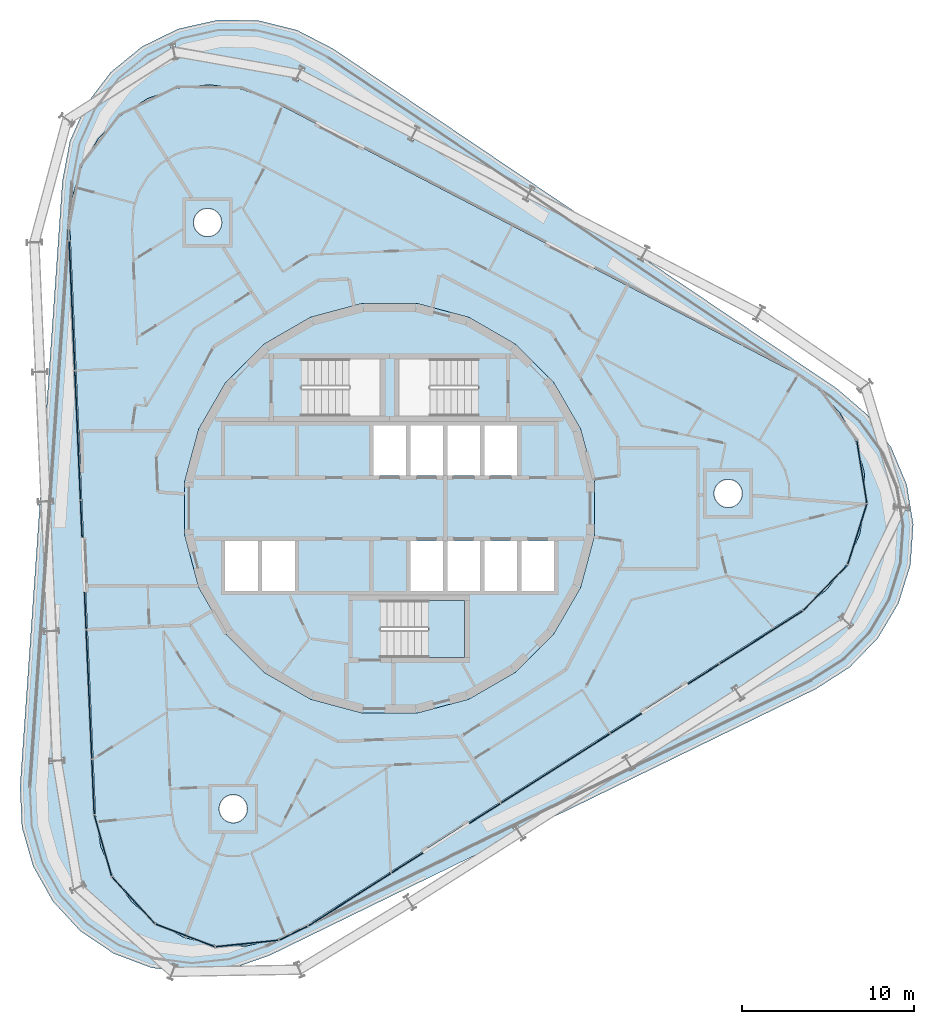
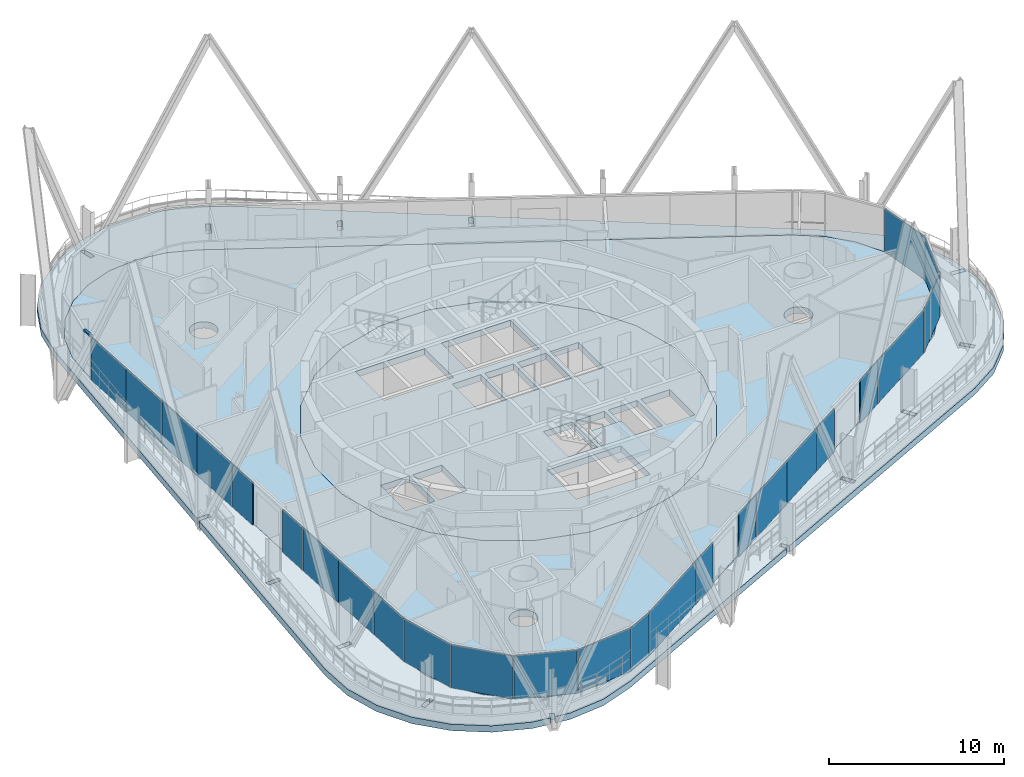
# One storey, part 10 of 20: 25 plates, 4 slabs, 1 member, 6 elements without a shape of their own.
"""IFC4 building model written with IfcOpenShell, lengths in metres."""

from ifc_helpers import new_model, si_unit, direction, frame, origin, origin_2d, place, context, subcontext, project, spatial, polyline, rectangle, outline, extrude, material, layer, layer_set, material_profile, profile_set, type_object, element, aggregate, save


model = new_model("IFC4")

# Units and contexts
model_context = context("Model", 3, precision=1e-05, world=origin(), true_north=direction((0.0, 1.0)))
body_context = subcontext(model_context, "Body", "Model", "MODEL_VIEW")
ifc_project = project(units=[si_unit("LENGTHUNIT", "METRE"), si_unit("AREAUNIT", "SQUARE_METRE"), si_unit("VOLUMEUNIT", "CUBIC_METRE"), si_unit("PLANEANGLEUNIT", "RADIAN"), si_unit("MASSUNIT", "GRAM", prefix="KILO")], contexts=[model_context])

# Site, building, storey
site_placement = place(None, origin())
site = spatial("IfcSite", under=ifc_project, at=site_placement, CompositionType="ELEMENT")
building_placement = place(site_placement, origin())
building = spatial("IfcBuilding", under=site, at=building_placement, Name="Spindle Arch Residences", CompositionType="ELEMENT")
storey_placement = place(building_placement, frame((0.0, 0.0, 226.699951171875)))
storey = spatial("IfcBuildingStorey", under=building, at=storey_placement, Name="L57", CompositionType="ELEMENT", Elevation=226.699951171875)

# Curtain wall, member
ifc_material_1 = material(Name="Aluminium bronze unitised frame with tinted glass", Category="aluminium")
ifc_layer_1 = layer(ifc_material_1, 0.159912109375)
ifc_layer_set_1 = layer_set([ifc_layer_1], Name="CW-D corner wall on the fillet arcs")
curtain_wall_type_1 = type_object("IfcCurtainWallType", Name="CW-D corner wall on the fillet arcs", PredefinedType="NOTDEFINED", material=ifc_layer_set_1)
curtain_wall_1_placement = place(storey_placement, origin())
curtain_wall_1 = element("IfcCurtainWall", 1, at=curtain_wall_1_placement, inside=storey, type_object=curtain_wall_type_1, Name="CW-D L57 run 3", PredefinedType="NOTDEFINED")
ifc_material_2 = material(Name="Aluminium bronze anodised transom", Category="aluminium")
ifc_material_profile = material_profile(ifc_material_2, rectangle(XDim=0.159912109375, YDim=0.1201171875, at=origin_2d()), Name="TR 120x160")
ifc_profile_set = profile_set([ifc_material_profile], Name="Aluminium bronze anodised transom")
member_type = type_object("IfcMemberType", Name="Bronze transom 120x160", PredefinedType="USERDEFINED", material=ifc_profile_set)
member_placement = place(storey_placement, frame((-18.638916015625, 16.2060546875, 3.06005859375), z_axis=(0.043372874815, -0.999058954081, 0.0), x_axis=(0.999058954081, 0.043372874815, 0.0)))
member = element("IfcMember", 2, at=member_placement, type_object=member_type, Name="CW-D transom 05", ObjectType="TRANSOM", PredefinedType="USERDEFINED", context=body_context, shape_type="SweptSolid", body=[
    extrude(rectangle(XDim=0.159912109375, YDim=0.1201171875, at=origin_2d()), origin(), (0.0, 0.0, 1.0), 0.65869140625),
])
aggregate(curtain_wall_1, [member])

# Slabs
ifc_material_3 = material(Name="Concrete C40/50", Category="concrete")
ifc_layer_2 = layer(ifc_material_3, 0.449951171875)
ifc_layer_set_2 = layer_set([ifc_layer_2], Name="Compartment floor slab 450")
slab_type_1 = type_object("IfcSlabType", Name="Compartment floor slab 450", PredefinedType="FLOOR", material=ifc_layer_set_2)
slab_1_placement = place(storey_placement, frame((0.0, 0.0, -0.449951171875)))
element("IfcSlab", 3, at=slab_1_placement, inside=storey, type_object=slab_type_1, Name="Floor slab L57", PredefinedType="FLOOR", context=body_context, shape_type="SweptSolid", body=[
    extrude(outline(polyline([(-6.45556640625, -25.0029296875), (-8.268798828125, -25.40478515625), (-10.126220703125, -25.3779296875), (-11.92724609375, -24.92333984375), (-13.57470703125, -24.065673828125), (-14.980224609375, -22.85107421875), (-16.067626953125, -21.34521484375), (-16.778564453125, -19.629150390625), (-17.074462890625, -17.79541015625), (-18.560302734375, 16.239501953125), (-18.42529296875, 18.092041015625), (-17.866943359375, 19.863525390625), (-16.914794921875, 21.45849609375), (-15.62060546875, 22.791015625), (-14.053955078125, 23.788818359375), (-12.299560546875, 24.398681640625), (-10.45166015625, 24.587646484375), (-8.610107421875, 24.34521484375), (-6.8740234375, 23.6845703125), (23.343994140625, 7.9541015625), (24.880859375, 6.910888671875), (26.1357421875, 5.54150390625), (27.041015625, 3.91943359375), (27.5478515625, 2.13232421875), (27.62890625, 0.276611328125), (27.27978515625, -1.547607421875), (26.519287109375, -3.242431640625), (25.388427734375, -4.716064453125), (23.948486328125, -5.88916015625), (9.58251953125, -15.041259765625), (-4.78369140625, -24.193603515625), (-6.45556640625, -25.0029296875)]), holes=[polyline([(7.30517578125, -9.520263671875), (9.520263671875, -7.30517578125), (11.086669921875, -4.59228515625), (11.897216796875, -1.56640625), (11.897216796875, 1.56640625), (11.086669921875, 4.59228515625), (9.520263671875, 7.30517578125), (7.30517578125, 9.520263671875), (4.59228515625, 11.086669921875), (1.56640625, 11.897216796875), (-1.56640625, 11.897216796875), (-4.59228515625, 11.086669921875), (-7.30517578125, 9.520263671875), (-9.520263671875, 7.30517578125), (-11.086669921875, 4.59228515625), (-11.897216796875, 1.56640625), (-11.897216796875, -1.56640625), (-11.086669921875, -4.59228515625), (-9.520263671875, -7.30517578125), (-7.30517578125, -9.520263671875), (-4.59228515625, -11.086669921875), (-1.56640625, -11.897216796875), (1.56640625, -11.897216796875), (4.59228515625, -11.086669921875), (7.30517578125, -9.520263671875)]), polyline([(-8.39599609375, -17.904541015625), (-8.31982421875, -17.761962890625), (-8.27294921875, -17.607177734375), (-8.257080078125, -17.4462890625), (-8.27294921875, -17.285400390625), (-8.31982421875, -17.130615234375), (-8.39599609375, -16.988037109375), (-8.49853515625, -16.86279296875), (-8.623779296875, -16.76025390625), (-8.766357421875, -16.68408203125), (-8.921142578125, -16.63720703125), (-9.08203125, -16.621337890625), (-9.242919921875, -16.63720703125), (-9.397705078125, -16.68408203125), (-9.540283203125, -16.76025390625), (-9.665283203125, -16.86279296875), (-9.76806640625, -16.988037109375), (-9.84423828125, -17.130615234375), (-9.89111328125, -17.285400390625), (-9.906982421875, -17.4462890625), (-9.89111328125, -17.607177734375), (-9.84423828125, -17.761962890625), (-9.76806640625, -17.904541015625), (-9.665283203125, -18.02978515625), (-9.540283203125, -18.13232421875), (-9.397705078125, -18.20849609375), (-9.242919921875, -18.25537109375), (-9.08203125, -18.271240234375), (-8.921142578125, -18.25537109375), (-8.766357421875, -18.20849609375), (-8.623779296875, -18.13232421875), (-8.49853515625, -18.02978515625), (-8.39599609375, -17.904541015625)]), polyline([(-9.882080078125, 16.130126953125), (-9.805908203125, 16.272705078125), (-9.7587890625, 16.427490234375), (-9.742919921875, 16.58837890625), (-9.7587890625, 16.749267578125), (-9.805908203125, 16.904052734375), (-9.882080078125, 17.046630859375), (-9.984619140625, 17.171875), (-10.109619140625, 17.2744140625), (-10.252197265625, 17.3505859375), (-10.406982421875, 17.3974609375), (-10.568115234375, 17.413330078125), (-10.72900390625, 17.3974609375), (-10.8837890625, 17.3505859375), (-11.0263671875, 17.2744140625), (-11.1513671875, 17.171875), (-11.25390625, 17.046630859375), (-11.330078125, 16.904052734375), (-11.377197265625, 16.749267578125), (-11.39306640625, 16.58837890625), (-11.377197265625, 16.427490234375), (-11.330078125, 16.272705078125), (-11.25390625, 16.130126953125), (-11.1513671875, 16.0048828125), (-11.0263671875, 15.90234375), (-10.8837890625, 15.826171875), (-10.72900390625, 15.779296875), (-10.568115234375, 15.763427734375), (-10.406982421875, 15.779296875), (-10.252197265625, 15.826171875), (-10.109619140625, 15.90234375), (-9.984619140625, 16.0048828125), (-9.882080078125, 16.130126953125)]), polyline([(20.2333984375, 0.2744140625), (20.3359375, 0.399658203125), (20.412109375, 0.542236328125), (20.458984375, 0.697021484375), (20.47509765625, 0.85791015625), (20.458984375, 1.018798828125), (20.412109375, 1.173583984375), (20.3359375, 1.316162109375), (20.2333984375, 1.44140625), (20.1083984375, 1.5439453125), (19.9658203125, 1.6201171875), (19.810791015625, 1.6669921875), (19.64990234375, 1.682861328125), (19.489013671875, 1.6669921875), (19.334228515625, 1.6201171875), (19.191650390625, 1.5439453125), (19.066650390625, 1.44140625), (18.964111328125, 1.316162109375), (18.8876953125, 1.173583984375), (18.8408203125, 1.018798828125), (18.824951171875, 0.85791015625), (18.8408203125, 0.697021484375), (18.8876953125, 0.542236328125), (18.964111328125, 0.399658203125), (19.066650390625, 0.2744140625), (19.191650390625, 0.171875), (19.334228515625, 0.095703125), (19.489013671875, 0.048828125), (19.64990234375, 0.032958984375), (19.810791015625, 0.048828125), (19.9658203125, 0.095703125), (20.1083984375, 0.171875), (20.2333984375, 0.2744140625)])]), origin(), (0.0, 0.0, 1.0), 0.449951171875),
])
ifc_material_4 = material(Name="Concrete C50/60", Category="concrete")
ifc_layer_3 = layer(ifc_material_4, 0.449951171875)
ifc_layer_set_3 = layer_set([ifc_layer_3], Name="Core floor slab 450")
slab_type_2 = type_object("IfcSlabType", Name="Core floor slab 450", PredefinedType="FLOOR", material=ifc_layer_set_3)
slab_2_placement = place(storey_placement, frame((0.0, 0.0, -0.449951171875)))
element("IfcSlab", 4, at=slab_2_placement, inside=storey, type_object=slab_type_2, Name="Core floor L57", PredefinedType="FLOOR", context=body_context, shape_type="SweptSolid", body=[
    extrude(outline(polyline([(1.56640625, -11.897216796875), (4.59228515625, -11.086669921875), (7.30517578125, -9.520263671875), (9.520263671875, -7.30517578125), (11.086669921875, -4.59228515625), (11.897216796875, -1.56640625), (11.897216796875, 1.56640625), (11.086669921875, 4.59228515625), (9.520263671875, 7.30517578125), (7.30517578125, 9.520263671875), (4.59228515625, 11.086669921875), (1.56640625, 11.897216796875), (-1.56640625, 11.897216796875), (-4.59228515625, 11.086669921875), (-7.30517578125, 9.520263671875), (-9.520263671875, 7.30517578125), (-11.086669921875, 4.59228515625), (-11.897216796875, 1.56640625), (-11.897216796875, -1.56640625), (-11.086669921875, -4.59228515625), (-9.520263671875, -7.30517578125), (-7.30517578125, -9.520263671875), (-4.59228515625, -11.086669921875), (-1.56640625, -11.897216796875), (1.56640625, -11.897216796875)]), holes=[polyline([(-0.949951171875, 1.89990234375), (0.949951171875, 1.89990234375), (0.949951171875, 4.800048828125), (-0.949951171875, 4.800048828125), (-0.949951171875, 1.89990234375)]), polyline([(1.199951171875, 1.89990234375), (3.10009765625, 1.89990234375), (3.10009765625, 4.800048828125), (1.199951171875, 4.800048828125), (1.199951171875, 1.89990234375)]), polyline([(3.35009765625, 1.89990234375), (5.25, 1.89990234375), (5.25, 4.800048828125), (3.35009765625, 4.800048828125), (3.35009765625, 1.89990234375)]), polyline([(5.5, 1.89990234375), (7.39990234375, 1.89990234375), (7.39990234375, 4.800048828125), (5.5, 4.800048828125), (5.5, 1.89990234375)]), polyline([(-9.550048828125, -4.800048828125), (-7.64990234375, -4.800048828125), (-7.64990234375, -1.89990234375), (-9.550048828125, -1.89990234375), (-9.550048828125, -4.800048828125)]), polyline([(-7.39990234375, -4.800048828125), (-5.5, -4.800048828125), (-5.5, -1.89990234375), (-7.39990234375, -1.89990234375), (-7.39990234375, -4.800048828125)]), polyline([(1.199951171875, -4.800048828125), (3.10009765625, -4.800048828125), (3.10009765625, -1.89990234375), (1.199951171875, -1.89990234375), (1.199951171875, -4.800048828125)]), polyline([(3.35009765625, -4.800048828125), (5.25, -4.800048828125), (5.25, -1.89990234375), (3.35009765625, -1.89990234375), (3.35009765625, -4.800048828125)]), polyline([(5.5, -4.800048828125), (7.39990234375, -4.800048828125), (7.39990234375, -1.89990234375), (5.5, -1.89990234375), (5.5, -4.800048828125)]), polyline([(7.64990234375, -4.800048828125), (9.550048828125, -4.800048828125), (9.550048828125, -1.89990234375), (7.64990234375, -1.89990234375), (7.64990234375, -4.800048828125)]), polyline([(5.1298828125, 8.669921875), (0.550048828125, 8.669921875), (0.550048828125, 5.35009765625), (5.1298828125, 5.35009765625), (5.1298828125, 8.669921875)]), polyline([(-5.1298828125, 5.35009765625), (-0.550048828125, 5.35009765625), (-0.550048828125, 8.669921875), (-5.1298828125, 8.669921875), (-5.1298828125, 5.35009765625)]), polyline([(-0.530029296875, -8.669921875), (4.35009765625, -8.669921875), (4.35009765625, -5.35009765625), (-0.530029296875, -5.35009765625), (-0.530029296875, -8.669921875)])]), origin(), (0.0, 0.0, 1.0), 0.449951171875),
])

# Stair, slab
ifc_material_5 = material(Name="Concrete C50/60", Category="concrete")
stair_type = type_object("IfcStairType", Name="Exit stair 16 risers", PredefinedType="HALF_TURN_STAIR", material=ifc_material_5)
stair_placement = place(storey_placement, origin())
stair = element("IfcStair", 5, at=stair_placement, inside=storey, type_object=stair_type, Name="L57 Exit stair ST3", PredefinedType="HALF_TURN_STAIR")
ifc_material_6 = material(Name="Concrete C50/60", Category="concrete")
ifc_layer_4 = layer(ifc_material_6, 0.219970703125)
ifc_layer_set_4 = layer_set([ifc_layer_4], Name="Exit stair landing 220")
slab_type_3 = type_object("IfcSlabType", Name="Exit stair landing 220", PredefinedType="LANDING", material=ifc_layer_set_4)
slab_3_placement = place(storey_placement, frame((0.0, 0.0, 1.530029296875)))
slab_3 = element("IfcSlab", 6, at=slab_3_placement, type_object=slab_type_3, Name="ST3 landing 1", PredefinedType="LANDING", context=body_context, shape_type="SweptSolid", body=[
    extrude(outline(polyline([(2.22998046875, -8.669921875), (4.35009765625, -8.669921875), (4.35009765625, -5.35009765625), (2.22998046875, -5.35009765625), (2.22998046875, -8.669921875)])), origin(), (0.0, 0.0, 1.0), 0.219970703125),
])
aggregate(stair, [slab_3])

# Slab
ifc_material_7 = material(Name="Concrete C40/50", Category="concrete")
ifc_layer_5 = layer(ifc_material_7, 0.449951171875)
ifc_layer_set_5 = layer_set([ifc_layer_5], Name="Terrace slab 450")
slab_type_4 = type_object("IfcSlabType", Name="Terrace slab 450", PredefinedType="FLOOR", material=ifc_layer_set_5)
slab_4_placement = place(storey_placement, frame((0.0, 0.0, -0.449951171875)))
element("IfcSlab", 7, at=slab_4_placement, inside=storey, type_object=slab_type_4, Name="Terrace slab L56", PredefinedType="FLOOR", context=body_context, shape_type="SweptSolid", body=[
    extrude(outline(polyline([(-9.17138671875, -26.734619140625), (-11.50341796875, -26.979736328125), (-12.419921875, -26.86181640625), (-12.302001953125, -26.54443359375), (-12.583251953125, -26.43994140625), (-12.725341796875, -26.822509765625), (-13.829345703125, -26.680419921875), (-16.023681640625, -25.852783203125), (-17.9677734375, -24.54150390625), (-19.55712890625, -22.817138671875), (-20.705810546875, -20.772705078125), (-21.352294921875, -18.5185546875), (-21.46142578125, -16.17578125), (-20.31494140625, 0.218994140625), (-19.513916015625, 0.254150390625), (-19.527099609375, 0.5537109375), (-20.2939453125, 0.520263671875), (-19.001220703125, 19.00537109375), (-18.567138671875, 21.309814453125), (-17.61328125, 23.4521484375), (-16.191162109375, 25.31689453125), (-14.37744140625, 26.80322265625), (-12.26953125, 27.831298828125), (-9.981689453125, 28.345458984375), (-7.63671875, 28.318115234375), (-5.361328125, 27.7509765625), (-3.278076171875, 26.674072265625), (14.535888671875, 14.658447265625), (14.429931640625, 14.45458984375), (14.696044921875, 14.316162109375), (14.786376953125, 14.489501953125), (25.959716796875, 6.952880859375), (27.738525390625, 5.4248046875), (29.116943359375, 3.527587890625), (30.020751953125, 1.363525390625), (30.40087890625, -0.950439453125), (30.2373046875, -3.289794921875), (29.538818359375, -5.5283203125), (28.342529296875, -7.54541015625), (26.713623046875, -9.232421875), (24.739501953125, -10.498291015625), (8.890380859375, -18.228271484375), (7.697021484375, -18.810302734375), (7.419921875, -18.375244140625), (7.1669921875, -18.53662109375), (7.42578125, -18.942626953125), (-6.95849609375, -25.958251953125), (-9.17138671875, -26.734619140625)]), holes=[polyline([(25.388427734375, -4.716064453125), (26.519287109375, -3.242431640625), (27.27978515625, -1.547607421875), (27.62890625, 0.276611328125), (27.5478515625, 2.13232421875), (27.041015625, 3.91943359375), (26.1357421875, 5.54150390625), (24.880859375, 6.910888671875), (23.343994140625, 7.9541015625), (-6.8740234375, 23.6845703125), (-8.610107421875, 24.34521484375), (-10.45166015625, 24.587646484375), (-12.299560546875, 24.398681640625), (-14.053955078125, 23.788818359375), (-15.62060546875, 22.791015625), (-16.914794921875, 21.45849609375), (-17.866943359375, 19.863525390625), (-18.42529296875, 18.092041015625), (-18.560302734375, 16.239501953125), (-17.074462890625, -17.79541015625), (-16.778564453125, -19.629150390625), (-16.067626953125, -21.34521484375), (-14.980224609375, -22.85107421875), (-13.57470703125, -24.065673828125), (-11.92724609375, -24.92333984375), (-10.126220703125, -25.3779296875), (-8.268798828125, -25.40478515625), (-6.45556640625, -25.0029296875), (-4.78369140625, -24.193603515625), (9.58251953125, -15.041259765625), (23.948486328125, -5.88916015625), (25.388427734375, -4.716064453125)]), polyline([(-18.55810546875, -22.086181640625), (-18.42236328125, -22.353759765625), (-17.619873046875, -21.946533203125), (-17.755615234375, -21.678955078125), (-18.55810546875, -22.086181640625)]), polyline([(-18.8701171875, -14.491943359375), (-19.769287109375, -14.53125), (-19.756103515625, -14.8310546875), (-18.857177734375, -14.791748046875), (-18.8701171875, -14.491943359375)]), polyline([(-19.19873046875, -6.968994140625), (-20.097900390625, -7.00830078125), (-20.084716796875, -7.30810546875), (-19.185546875, -7.268798828125), (-19.19873046875, -6.968994140625)]), polyline([(-5.341796875, 24.7470703125), (-4.92626953125, 25.54541015625), (-5.1923828125, 25.683837890625), (-5.60791015625, 24.885498046875), (-5.341796875, 24.7470703125)]), polyline([(-12.285400390625, 26.085693359375), (-12.45947265625, 26.968505859375), (-12.753662109375, 26.91064453125), (-12.579833984375, 26.027587890625), (-12.285400390625, 26.085693359375)]), polyline([(14.00146484375, -15.24951171875), (14.25439453125, -15.08837890625), (13.770751953125, -14.329345703125), (13.517822265625, -14.490478515625), (14.00146484375, -15.24951171875)]), polyline([(19.86865234375, -10.444580078125), (20.352294921875, -11.20361328125), (20.605224609375, -11.04248046875), (20.12158203125, -10.283447265625), (19.86865234375, -10.444580078125)]), polyline([(26.079345703125, -6.33984375), (26.689453125, -7.001708984375), (26.909912109375, -6.79833984375), (26.300048828125, -6.136474609375), (26.079345703125, -6.33984375)]), polyline([(30.15380859375, -0.141357421875), (30.177734375, 0.15771484375), (29.28076171875, 0.230224609375), (29.256591796875, -0.06884765625), (30.15380859375, -0.141357421875)]), polyline([(8.0166015625, 17.793212890625), (8.43212890625, 18.59130859375), (8.166015625, 18.72998046875), (7.75048828125, 17.931640625), (8.0166015625, 17.793212890625)]), polyline([(1.33740234375, 21.27001953125), (1.7529296875, 22.068359375), (1.48681640625, 22.206787109375), (1.0712890625, 21.40869140625), (1.33740234375, 21.27001953125)])]), origin(), (0.0, 0.0, 1.0), 0.449951171875),
])

# Curtain wall, plates
curtain_wall_2_placement = place(storey_placement, origin())
curtain_wall_2 = element("IfcCurtainWall", 8, at=curtain_wall_2_placement, inside=storey, type_object=curtain_wall_type_1, Name="CW-D L57 run 1", PredefinedType="NOTDEFINED")
ifc_material_8 = material(Name="Tinted double glazing over aluminium faced non-combustible spandrel zone (K0)", Category="aluminium")
ifc_layer_6 = layer(ifc_material_8, 0.06005859375)
ifc_layer_set_6 = layer_set([ifc_layer_6], Name="Unitised glass panel with E 60 spandrel zone")
plate_type = type_object("IfcPlateType", Name="Unitised glass panel with E 60 spandrel zone", PredefinedType="CURTAIN_PANEL", material=ifc_layer_set_6)
plate_1_placement = place(storey_placement, frame((21.571533203125, -7.498291015625, -0.44970703125), z_axis=(0.0, 0.0, 1.0), x_axis=(0.843391445813, 0.537299608347, 0.0)))
plate_1 = element("IfcPlate", 9, at=plate_1_placement, type_object=plate_type, Name="CW-D unit 00", PredefinedType="CURTAIN_PANEL", context=body_context, shape_type="SweptSolid", body=[
    extrude(rectangle(XDim=5.678466796875, YDim=0.06005859375, at=origin_2d()), origin(), (0.0, 0.0, 1.0), 3.449951171875),
])
plate_2_placement = place(storey_placement, frame((25.28955078125, -4.6201171875, -0.44970703125), z_axis=(0.0, 0.0, 1.0), x_axis=(0.696747904692, 0.71731607908, 0.0)))
plate_2 = element("IfcPlate", 10, at=plate_2_placement, type_object=plate_type, Name="CW-D unit 01", PredefinedType="CURTAIN_PANEL", context=body_context, shape_type="SweptSolid", body=[
    extrude(rectangle(XDim=3.666748046875, YDim=0.06005859375, at=origin_2d()), origin(), (0.0, 0.0, 1.0), 3.449951171875),
])
plate_3_placement = place(storey_placement, frame((27.148193359375, -1.50634765625, -0.44970703125), z_axis=(0.0, 0.0, 1.0), x_axis=(0.300705803932, 0.953716949352, 0.0)))
plate_3 = element("IfcPlate", 11, at=plate_3_placement, type_object=plate_type, Name="CW-D unit 02", PredefinedType="CURTAIN_PANEL", context=body_context, shape_type="SweptSolid", body=[
    extrude(rectangle(XDim=3.666748046875, YDim=0.06005859375, at=origin_2d()), origin(), (0.0, 0.0, 1.0), 3.449951171875),
])
plate_4_placement = place(storey_placement, frame((27.411865234375, 2.1103515625, -0.44970703125), z_axis=(0.0, 0.0, 1.0), x_axis=(-0.15930686075, 0.987229114298, 0.0)))
plate_4 = element("IfcPlate", 12, at=plate_4_placement, type_object=plate_type, Name="CW-D unit 03", PredefinedType="CURTAIN_PANEL", context=body_context, shape_type="SweptSolid", body=[
    extrude(rectangle(XDim=3.666748046875, YDim=0.06005859375, at=origin_2d()), origin(), (0.0, 0.0, 1.0), 3.449951171875),
])
aggregate(curtain_wall_2, [plate_1, plate_2, plate_3, plate_4])

ifc_material_9 = material(Name="Aluminium bronze unitised frame with tinted glass", Category="aluminium")
ifc_layer_7 = layer(ifc_material_9, 0.159912109375)
ifc_layer_set_7 = layer_set([ifc_layer_7], Name="CW-C typical residential unitised wall")
curtain_wall_type_2 = type_object("IfcCurtainWallType", Name="CW-C typical residential unitised wall", PredefinedType="NOTDEFINED", material=ifc_layer_set_7)
curtain_wall_3_placement = place(storey_placement, origin())
curtain_wall_3 = element("IfcCurtainWall", 13, at=curtain_wall_3_placement, inside=storey, type_object=curtain_wall_type_2, Name="CW-C L57 run 4", PredefinedType="NOTDEFINED")
plate_5_placement = place(storey_placement, frame((-18.526123046875, 13.62255859375, -0.44970703125), z_axis=(0.0, 0.0, 1.0), x_axis=(0.043619387365, -0.999048221582, 0.0)))
plate_5 = element("IfcPlate", 14, at=plate_5_placement, type_object=plate_type, Name="CW-C unit 12A", PredefinedType="CURTAIN_PANEL", context=body_context, shape_type="SweptSolid", body=[
    extrude(rectangle(XDim=3.735107421875, YDim=0.06005859375, at=origin_2d()), origin(), (0.0, 0.0, 1.0), 3.449951171875),
])
plate_6_placement = place(storey_placement, frame((-18.36328125, 9.89111328125, -0.44970703125), z_axis=(0.0, 0.0, 1.0), x_axis=(0.043619387365, -0.999048221582, 0.0)))
plate_6 = element("IfcPlate", 15, at=plate_6_placement, type_object=plate_type, Name="CW-C unit 12B", PredefinedType="CURTAIN_PANEL", context=body_context, shape_type="SweptSolid", body=[
    extrude(rectangle(XDim=3.735107421875, YDim=0.06005859375, at=origin_2d()), origin(), (0.0, 0.0, 1.0), 3.449951171875),
])
plate_7_placement = place(storey_placement, frame((-18.19775390625, 6.099609375, -0.44970703125), z_axis=(0.0, 0.0, 1.0), x_axis=(0.043619387365, -0.999048221582, 0.0)))
plate_7 = element("IfcPlate", 16, at=plate_7_placement, type_object=plate_type, Name="CW-C unit 13A", PredefinedType="CURTAIN_PANEL", context=body_context, shape_type="SweptSolid", body=[
    extrude(rectangle(XDim=3.735107421875, YDim=0.06005859375, at=origin_2d()), origin(), (0.0, 0.0, 1.0), 3.449951171875),
])
plate_8_placement = place(storey_placement, frame((-18.034912109375, 2.3681640625, -0.44970703125), z_axis=(0.0, 0.0, 1.0), x_axis=(0.043619387365, -0.999048221582, 0.0)))
plate_8 = element("IfcPlate", 17, at=plate_8_placement, type_object=plate_type, Name="CW-C unit 13B", PredefinedType="CURTAIN_PANEL", context=body_context, shape_type="SweptSolid", body=[
    extrude(rectangle(XDim=3.735107421875, YDim=0.06005859375, at=origin_2d()), origin(), (0.0, 0.0, 1.0), 3.449951171875),
])
plate_9_placement = place(storey_placement, frame((-17.904052734375, -0.6240234375, -0.44970703125), z_axis=(0.0, 0.0, 1.0), x_axis=(0.043619387365, -0.999048221582, 0.0)))
plate_9 = element("IfcPlate", 18, at=plate_9_placement, type_object=plate_type, Name="CW-C unit 14L", PredefinedType="CURTAIN_PANEL", context=body_context, shape_type="SweptSolid", body=[
    extrude(rectangle(XDim=2.135009765625, YDim=0.06005859375, at=origin_2d()), origin(), (0.0, 0.0, 1.0), 3.449951171875),
])
plate_10_placement = place(storey_placement, frame((-17.67138671875, -5.9541015625, -0.44970703125), z_axis=(0.0, 0.0, 1.0), x_axis=(0.043619387365, -0.999048221582, 0.0)))
plate_10 = element("IfcPlate", 19, at=plate_10_placement, type_object=plate_type, Name="CW-C unit 14R", PredefinedType="CURTAIN_PANEL", context=body_context, shape_type="SweptSolid", body=[
    extrude(rectangle(XDim=2.135009765625, YDim=0.06005859375, at=origin_2d()), origin(), (0.0, 0.0, 1.0), 3.449951171875),
])
plate_11_placement = place(storey_placement, frame((-17.540771484375, -8.9462890625, -0.44970703125), z_axis=(0.0, 0.0, 1.0), x_axis=(0.043619387365, -0.999048221582, 0.0)))
plate_11 = element("IfcPlate", 20, at=plate_11_placement, type_object=plate_type, Name="CW-C unit 15A", PredefinedType="CURTAIN_PANEL", context=body_context, shape_type="SweptSolid", body=[
    extrude(rectangle(XDim=3.735107421875, YDim=0.06005859375, at=origin_2d()), origin(), (0.0, 0.0, 1.0), 3.449951171875),
])
plate_12_placement = place(storey_placement, frame((-17.3779296875, -12.677734375, -0.44970703125), z_axis=(0.0, 0.0, 1.0), x_axis=(0.043619387365, -0.999048221582, 0.0)))
plate_12 = element("IfcPlate", 21, at=plate_12_placement, type_object=plate_type, Name="CW-C unit 15B", PredefinedType="CURTAIN_PANEL", context=body_context, shape_type="SweptSolid", body=[
    extrude(rectangle(XDim=3.735107421875, YDim=0.06005859375, at=origin_2d()), origin(), (0.0, 0.0, 1.0), 3.449951171875),
])
aggregate(curtain_wall_3, [plate_5, plate_6, plate_7, plate_8, plate_9, plate_10, plate_11, plate_12])

curtain_wall_4_placement = place(storey_placement, origin())
curtain_wall_4 = element("IfcCurtainWall", 22, at=curtain_wall_4_placement, inside=storey, type_object=curtain_wall_type_1, Name="CW-D L57 run 5", PredefinedType="NOTDEFINED")
plate_13_placement = place(storey_placement, frame((-17.224609375, -16.18603515625, -0.44970703125), z_axis=(0.0, 0.0, 1.0), x_axis=(0.043619387365, -0.999048221582, 0.0)))
plate_13 = element("IfcPlate", 23, at=plate_13_placement, type_object=plate_type, Name="CW-D unit 00", PredefinedType="CURTAIN_PANEL", context=body_context, shape_type="SweptSolid", body=[
    extrude(rectangle(XDim=3.16845703125, YDim=0.06005859375, at=origin_2d()), origin(), (0.0, 0.0, 1.0), 3.449951171875),
])
plate_14_placement = place(storey_placement, frame((-16.64599609375, -19.591552734375, -0.44970703125), z_axis=(0.0, 0.0, 1.0), x_axis=(0.272839997585, -0.962059424213, 0.0)))
plate_14 = element("IfcPlate", 24, at=plate_14_placement, type_object=plate_type, Name="CW-D unit 01", PredefinedType="CURTAIN_PANEL", context=body_context, shape_type="SweptSolid", body=[
    extrude(rectangle(XDim=3.666748046875, YDim=0.06005859375, at=origin_2d()), origin(), (0.0, 0.0, 1.0), 3.449951171875),
])
plate_15_placement = place(storey_placement, frame((-14.878662109375, -22.758056640625, -0.44970703125), z_axis=(0.0, 0.0, 1.0), x_axis=(0.675590207538, -0.737277336881, 0.0)))
plate_15 = element("IfcPlate", 25, at=plate_15_placement, type_object=plate_type, Name="CW-D unit 02", PredefinedType="CURTAIN_PANEL", context=body_context, shape_type="SweptSolid", body=[
    extrude(rectangle(XDim=3.666748046875, YDim=0.06005859375, at=origin_2d()), origin(), (0.0, 0.0, 1.0), 3.449951171875),
])
plate_16_placement = place(storey_placement, frame((-11.878173828125, -24.79443359375, -0.44970703125), z_axis=(0.0, 0.0, 1.0), x_axis=(0.934618925661, -0.355650760994, 0.0)))
plate_16 = element("IfcPlate", 26, at=plate_16_placement, type_object=plate_type, Name="CW-D unit 03", PredefinedType="CURTAIN_PANEL", context=body_context, shape_type="SweptSolid", body=[
    extrude(rectangle(XDim=3.666748046875, YDim=0.06005859375, at=origin_2d()), origin(), (0.0, 0.0, 1.0), 3.449951171875),
])
plate_17_placement = place(storey_placement, frame((-8.282958984375, -25.267822265625, -0.44970703125), z_axis=(0.0, 0.0, 1.0), x_axis=(0.994821748016, 0.10163508092, 0.0)))
plate_17 = element("IfcPlate", 27, at=plate_17_placement, type_object=plate_type, Name="CW-D unit 04", PredefinedType="CURTAIN_PANEL", context=body_context, shape_type="SweptSolid", body=[
    extrude(rectangle(XDim=3.666748046875, YDim=0.06005859375, at=origin_2d()), origin(), (0.0, 0.0, 1.0), 3.449951171875),
])
plate_18_placement = place(storey_placement, frame((-5.5849609375, -24.669677734375, -0.44970703125), z_axis=(0.0, 0.0, 1.0), x_axis=(0.900065409973, 0.435754813823, 0.0)))
plate_18 = element("IfcPlate", 28, at=plate_18_placement, type_object=plate_type, Name="CW-D unit 05", PredefinedType="CURTAIN_PANEL", context=body_context, shape_type="SweptSolid", body=[
    extrude(rectangle(XDim=1.816162109375, YDim=0.06005859375, at=origin_2d()), origin(), (0.0, 0.0, 1.0), 3.449951171875),
])
plate_19_placement = place(storey_placement, frame((-2.32080078125, -22.71923828125, -0.44970703125), z_axis=(0.0, 0.0, 1.0), x_axis=(0.843391445813, 0.537299608347, 0.0)))
plate_19 = element("IfcPlate", 29, at=plate_19_placement, type_object=plate_type, Name="CW-D unit 06", PredefinedType="CURTAIN_PANEL", context=body_context, shape_type="SweptSolid", body=[
    extrude(rectangle(XDim=5.678466796875, YDim=0.06005859375, at=origin_2d()), origin(), (0.0, 0.0, 1.0), 3.449951171875),
])
aggregate(curtain_wall_4, [plate_13, plate_14, plate_15, plate_16, plate_17, plate_18, plate_19])

curtain_wall_5_placement = place(storey_placement, origin())
curtain_wall_5 = element("IfcCurtainWall", 30, at=curtain_wall_5_placement, inside=storey, type_object=curtain_wall_type_2, Name="CW-C L57 run 6", PredefinedType="NOTDEFINED")
plate_20_placement = place(storey_placement, frame((1.02490234375, -20.587890625, -0.44970703125), z_axis=(0.0, 0.0, 1.0), x_axis=(0.843391445813, 0.537299608347, 0.0)))
plate_20 = element("IfcPlate", 31, at=plate_20_placement, type_object=plate_type, Name="CW-C unit 20L", PredefinedType="CURTAIN_PANEL", context=body_context, shape_type="SweptSolid", body=[
    extrude(rectangle(XDim=2.135009765625, YDim=0.06005859375, at=origin_2d()), origin(), (0.0, 0.0, 1.0), 3.449951171875),
])
plate_21_placement = place(storey_placement, frame((5.5244140625, -17.721435546875, -0.44970703125), z_axis=(0.0, 0.0, 1.0), x_axis=(0.843391445813, 0.537299608347, 0.0)))
plate_21 = element("IfcPlate", 32, at=plate_21_placement, type_object=plate_type, Name="CW-C unit 20R", PredefinedType="CURTAIN_PANEL", context=body_context, shape_type="SweptSolid", body=[
    extrude(rectangle(XDim=2.135009765625, YDim=0.06005859375, at=origin_2d()), origin(), (0.0, 0.0, 1.0), 3.449951171875),
])
plate_22_placement = place(storey_placement, frame((8.05029296875, -16.1123046875, -0.44970703125), z_axis=(0.0, 0.0, 1.0), x_axis=(0.843391445813, 0.537299608347, 0.0)))
plate_22 = element("IfcPlate", 33, at=plate_22_placement, type_object=plate_type, Name="CW-C unit 21A", PredefinedType="CURTAIN_PANEL", context=body_context, shape_type="SweptSolid", body=[
    extrude(rectangle(XDim=3.735107421875, YDim=0.06005859375, at=origin_2d()), origin(), (0.0, 0.0, 1.0), 3.449951171875),
])
plate_23_placement = place(storey_placement, frame((11.200439453125, -14.10546875, -0.44970703125), z_axis=(0.0, 0.0, 1.0), x_axis=(0.843391445813, 0.537299608347, 0.0)))
plate_23 = element("IfcPlate", 34, at=plate_23_placement, type_object=plate_type, Name="CW-C unit 21B", PredefinedType="CURTAIN_PANEL", context=body_context, shape_type="SweptSolid", body=[
    extrude(rectangle(XDim=3.735107421875, YDim=0.06005859375, at=origin_2d()), origin(), (0.0, 0.0, 1.0), 3.449951171875),
])
plate_24_placement = place(storey_placement, frame((13.726318359375, -12.49609375, -0.44970703125), z_axis=(0.0, 0.0, 1.0), x_axis=(0.843391445813, 0.537299608347, 0.0)))
plate_24 = element("IfcPlate", 35, at=plate_24_placement, type_object=plate_type, Name="CW-C unit 00L", PredefinedType="CURTAIN_PANEL", context=body_context, shape_type="SweptSolid", body=[
    extrude(rectangle(XDim=2.135009765625, YDim=0.06005859375, at=origin_2d()), origin(), (0.0, 0.0, 1.0), 3.449951171875),
])
plate_25_placement = place(storey_placement, frame((18.225830078125, -9.629638671875, -0.44970703125), z_axis=(0.0, 0.0, 1.0), x_axis=(0.843391445813, 0.537299608347, 0.0)))
plate_25 = element("IfcPlate", 36, at=plate_25_placement, type_object=plate_type, Name="CW-C unit 00R", PredefinedType="CURTAIN_PANEL", context=body_context, shape_type="SweptSolid", body=[
    extrude(rectangle(XDim=2.135009765625, YDim=0.06005859375, at=origin_2d()), origin(), (0.0, 0.0, 1.0), 3.449951171875),
])
aggregate(curtain_wall_5, [plate_20, plate_21, plate_22, plate_23, plate_24, plate_25])

save(model, "model.ifc")
